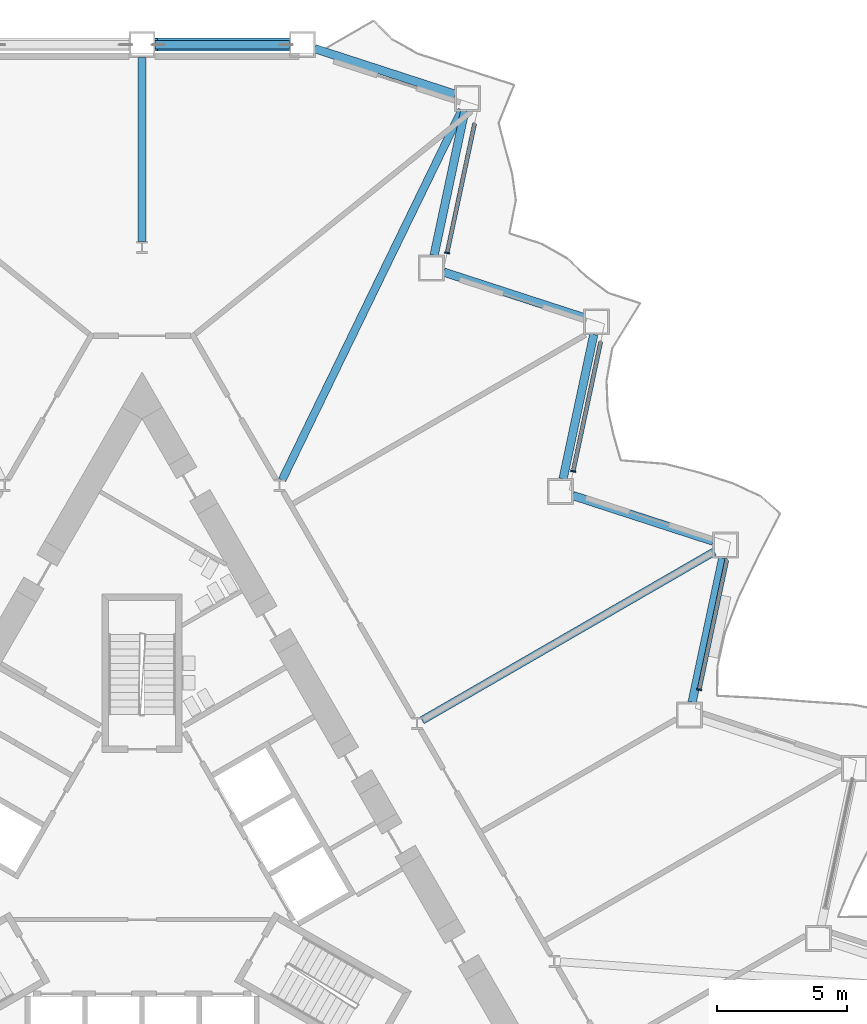
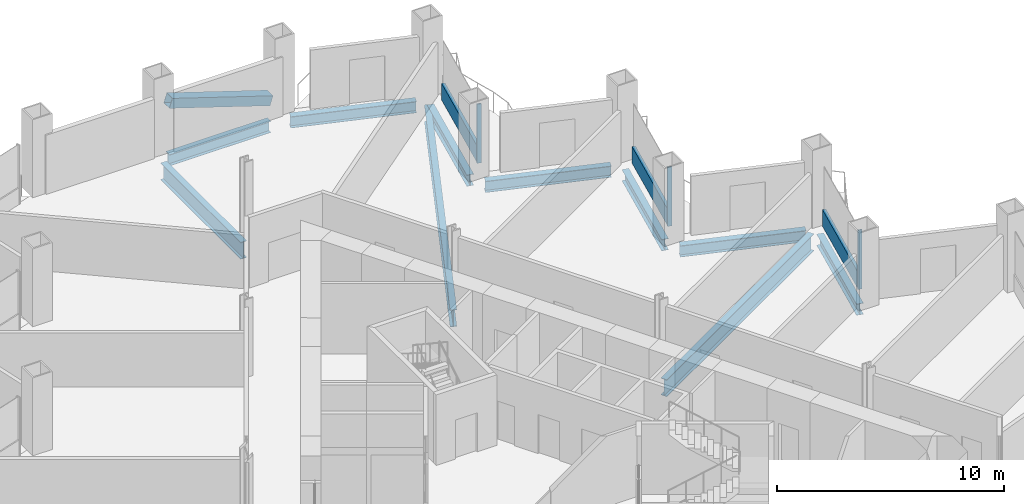
# One storey, part 7 of 21: 10 beams, 7 members, 3 elements without a shape of their own.
"""IFC4 building model written with IfcOpenShell, lengths in metres."""

from ifc_helpers import new_model, si_unit, direction, frame, origin, origin_2d, place, context, subcontext, project, spatial, rectangle, hollow_rectangle, i_section, extrude, material, layer, layer_set, material_profile, profile_set, type_object, element, aggregate, save


model = new_model("IFC4")

# Units and contexts
model_context = context("Model", 3, precision=1e-05, world=origin(), true_north=direction((0.0, 1.0)))
body_context = subcontext(model_context, "Body", "Model", "MODEL_VIEW")
ifc_project = project(units=[si_unit("LENGTHUNIT", "METRE"), si_unit("AREAUNIT", "SQUARE_METRE"), si_unit("VOLUMEUNIT", "CUBIC_METRE"), si_unit("PLANEANGLEUNIT", "RADIAN"), si_unit("MASSUNIT", "GRAM", prefix="KILO")], contexts=[model_context])

# Site, building, storey
site_placement = place(None, origin())
site = spatial("IfcSite", under=ifc_project, at=site_placement, CompositionType="ELEMENT")
building_placement = place(site_placement, origin())
building = spatial("IfcBuilding", under=site, at=building_placement, Name="Cormorant Prow Tower", CompositionType="ELEMENT")
storey_placement = place(building_placement, frame((0.0, 0.0, 46.800048828125)))
storey = spatial("IfcBuildingStorey", under=building, at=storey_placement, Name="L09", CompositionType="ELEMENT", Elevation=46.800048828125)

# Member
ifc_material_1 = material(Name="Structural steel ASTM A500 Gr C", Category="steel")
ifc_material_profile_1 = material_profile(ifc_material_1, hollow_rectangle(XDim=0.508056640625, YDim=0.508056640625, WallThickness=0.014892578125, at=origin_2d()), Name="HSS20x20x5/8")
ifc_profile_set_1 = profile_set([ifc_material_profile_1], Name="Structural steel ASTM A500 Gr C")
member_type_1 = type_object("IfcMemberType", Name="Chamfer brace HSS20x20x5/8", PredefinedType="BRACE", material=ifc_profile_set_1)
member_1_placement = place(storey_placement, frame((5.65087890625, 32.233642578125, 0.76708984375), z_axis=(-0.951761092368, 0.0, 0.306840061033), x_axis=(0.0, -1.0, 0.0)))
element("IfcMember", 1, at=member_1_placement, inside=storey, type_object=member_type_1, Name="Chamfer brace BR1 at N00 L09", PredefinedType="BRACE", context=body_context, shape_type="SweptSolid", body=[
    extrude(hollow_rectangle(XDim=0.508056640625, YDim=0.508056640625, WallThickness=0.014892578125, at=origin_2d()), origin(), (0.0, 0.0, 1.0), 5.39208984375),
])

# Curtain wall, member
ifc_material_2 = material(Name="Aluminium 6063-T6", Category="aluminium")
ifc_layer = layer(ifc_material_2, 0.199951171875)
ifc_layer_set = layer_set([ifc_layer], Name="Aluminium 6063-T6")
curtain_wall_type = type_object("IfcCurtainWallType", Name="Office unitised curtain wall 200", PredefinedType="NOTDEFINED", material=ifc_layer_set)
curtain_wall_1_placement = place(storey_placement, origin())
curtain_wall_1 = element("IfcCurtainWall", 2, at=curtain_wall_1_placement, inside=storey, type_object=curtain_wall_type, Name="Office curtain wall ENE04", PredefinedType="NOTDEFINED")
ifc_material_3 = material(Name="Aluminium 6063-T6", Category="aluminium")
ifc_material_profile_2 = material_profile(ifc_material_3, rectangle(XDim=0.199951171875, YDim=0.06005859375, at=origin_2d()), Name="Office mullion 60x200")
ifc_profile_set_2 = profile_set([ifc_material_profile_2], Name="Aluminium 6063-T6")
member_type_2 = type_object("IfcMemberType", Name="Office mullion 60x200", PredefinedType="MULLION", material=ifc_profile_set_2)
member_2_placement = place(storey_placement, frame((21.447021484375, 7.408203125, 0.0), z_axis=(0.0, 0.0, 1.0), x_axis=(-0.978147599834, 0.207911695052, 0.0)))
member_2 = element("IfcMember", 3, at=member_2_placement, type_object=member_type_2, Name="Office mullion ENE04", PredefinedType="MULLION", context=body_context, shape_type="SweptSolid", body=[
    extrude(rectangle(XDim=0.199951171875, YDim=0.06005859375, at=origin_2d()), origin(), (0.0, 0.0, 1.0), 3.18896484375),
])

curtain_wall_2_placement = place(storey_placement, origin())
curtain_wall_2 = element("IfcCurtainWall", 4, at=curtain_wall_2_placement, inside=storey, type_object=curtain_wall_type, Name="Office curtain wall ENE06", PredefinedType="NOTDEFINED")
member_3_placement = place(storey_placement, frame((16.594482421875, 15.813232421875, 0.0), z_axis=(0.0, 0.0, 1.0), x_axis=(-0.978147630979, 0.207911548524, 0.0)))
member_3 = element("IfcMember", 5, at=member_3_placement, type_object=member_type_2, Name="Office mullion ENE06", PredefinedType="MULLION", context=body_context, shape_type="SweptSolid", body=[
    extrude(rectangle(XDim=0.199951171875, YDim=0.06005859375, at=origin_2d()), origin(), (0.0, 0.0, 1.0), 3.18896484375),
])

curtain_wall_3_placement = place(storey_placement, origin())
curtain_wall_3 = element("IfcCurtainWall", 6, at=curtain_wall_3_placement, inside=storey, type_object=curtain_wall_type, Name="Office curtain wall ENE08", PredefinedType="NOTDEFINED")
member_4_placement = place(storey_placement, frame((11.74169921875, 24.21826171875, 0.0), z_axis=(0.0, 0.0, 1.0), x_axis=(-0.978147599834, 0.207911695052, 0.0)))
member_4 = element("IfcMember", 7, at=member_4_placement, type_object=member_type_2, Name="Office mullion ENE08", PredefinedType="MULLION", context=body_context, shape_type="SweptSolid", body=[
    extrude(rectangle(XDim=0.199951171875, YDim=0.06005859375, at=origin_2d()), origin(), (0.0, 0.0, 1.0), 3.18896484375),
])

# Member
ifc_material_4 = material(Name="Terracotta", Category="masonry")
ifc_material_profile_3 = material_profile(ifc_material_4, rectangle(XDim=0.159912109375, YDim=0.89990234375, at=origin_2d()), Name="Office terracotta spandrel rail 160x900")
ifc_profile_set_3 = profile_set([ifc_material_profile_3], Name="Terracotta")
member_type_3 = type_object("IfcMemberType", Name="Office terracotta spandrel rail 160x900", PredefinedType="USERDEFINED", material=ifc_profile_set_3)
member_5_placement = place(storey_placement, frame((21.453369140625, 7.4375, 0.449951171875), z_axis=(0.207895659842, 0.978151008086, 0.0), x_axis=(-0.978151008086, 0.207895659842, 0.0)))
member_5 = element("IfcMember", 8, at=member_5_placement, type_object=member_type_3, Name="Office spandrel rail ENE04", ObjectType="TRANSOM", PredefinedType="USERDEFINED", context=body_context, shape_type="SweptSolid", body=[
    extrude(rectangle(XDim=0.159912109375, YDim=0.89990234375, at=origin_2d()), origin(), (0.0, 0.0, 1.0), 5.063720703125),
])

aggregate(curtain_wall_1, [member_2, member_5])

member_6_placement = place(storey_placement, frame((16.6005859375, 15.842529296875, 0.449951171875), z_axis=(0.20794178862, 0.978141202764, 0.0), x_axis=(-0.978141202764, 0.20794178862, 0.0)))
member_6 = element("IfcMember", 9, at=member_6_placement, type_object=member_type_3, Name="Office spandrel rail ENE06", ObjectType="TRANSOM", PredefinedType="USERDEFINED", context=body_context, shape_type="SweptSolid", body=[
    extrude(rectangle(XDim=0.159912109375, YDim=0.89990234375, at=origin_2d()), origin(), (0.0, 0.0, 1.0), 5.063720703125),
])

aggregate(curtain_wall_2, [member_3, member_6])

member_7_placement = place(storey_placement, frame((11.748046875, 24.24755859375, 0.449951171875), z_axis=(0.207895659842, 0.978151008086, 0.0), x_axis=(-0.978151008086, 0.207895659842, 0.0)))
member_7 = element("IfcMember", 10, at=member_7_placement, type_object=member_type_3, Name="Office spandrel rail ENE08", ObjectType="TRANSOM", PredefinedType="USERDEFINED", context=body_context, shape_type="SweptSolid", body=[
    extrude(rectangle(XDim=0.159912109375, YDim=0.89990234375, at=origin_2d()), origin(), (0.0, 0.0, 1.0), 5.063720703125),
])

aggregate(curtain_wall_3, [member_4, member_7])

# Beams
ifc_material_5 = material(Name="Structural steel ASTM A992 Gr 50", Category="steel")
ifc_material_profile_4 = material_profile(ifc_material_5, i_section(OverallWidth=0.3046875, OverallDepth=0.914794921875, WebThickness=0.0166015625, FlangeThickness=0.02587890625, at=origin_2d()), Name="W36x160")
ifc_profile_set_4 = profile_set([ifc_material_profile_4], Name="Structural steel ASTM A992 Gr 50")
beam_type_1 = type_object("IfcBeamType", Name="Radial floor beam W36x160", PredefinedType="BEAM", material=ifc_profile_set_4)
beam_1_placement = place(storey_placement, frame((0.0, 24.662109375, -0.857421875), z_axis=(0.0, 1.0, 0.0), x_axis=(-1.0, 0.0, 0.0)))
element("IfcBeam", 11, at=beam_1_placement, inside=storey, type_object=beam_type_1, Name="Radial floor beam FB1 1 L09", PredefinedType="BEAM", context=body_context, shape_type="SweptSolid", body=[
    extrude(i_section(OverallWidth=0.3046875, OverallDepth=0.914794921875, WebThickness=0.0166015625, FlangeThickness=0.02587890625, at=origin_2d()), origin(), (0.0, 0.0, 1.0), 7.071533203125),
])
beam_2_placement = place(storey_placement, frame((10.779541015625, 6.2236328125, -0.857421875), z_axis=(0.866030278318, 0.499991556966, 0.0), x_axis=(-0.499991556966, 0.866030278318, 0.0)))
element("IfcBeam", 12, at=beam_2_placement, inside=storey, type_object=beam_type_1, Name="Radial floor beam FB1 11 L09", PredefinedType="BEAM", context=body_context, shape_type="SweptSolid", body=[
    extrude(i_section(OverallWidth=0.3046875, OverallDepth=0.914794921875, WebThickness=0.0166015625, FlangeThickness=0.02587890625, at=origin_2d()), origin(), (0.0, 0.0, 1.0), 12.984130859375),
])
beam_3_placement = place(storey_placement, frame((5.390625, 15.4775390625, -0.857421875), z_axis=(0.436839436813, 0.899539496879, 0.0), x_axis=(-0.899539496879, 0.436839436813, 0.0)))
element("IfcBeam", 13, at=beam_3_placement, inside=storey, type_object=beam_type_1, Name="Radial floor beam FB1 12 L09", PredefinedType="BEAM", context=body_context, shape_type="SweptSolid", body=[
    extrude(i_section(OverallWidth=0.3046875, OverallDepth=0.914794921875, WebThickness=0.0166015625, FlangeThickness=0.02587890625, at=origin_2d()), origin(), (0.0, 0.0, 1.0), 15.83203125),
])
ifc_material_6 = material(Name="Structural steel ASTM A992 Gr 50", Category="steel")
ifc_material_profile_5 = material_profile(ifc_material_6, i_section(OverallWidth=0.32373046875, OverallDepth=0.611083984375, WebThickness=0.0126953125, FlangeThickness=0.01904296875, at=origin_2d()), Name="W24x104")
ifc_profile_set_5 = profile_set([ifc_material_profile_5], Name="Structural steel ASTM A992 Gr 50")
beam_type_2 = type_object("IfcBeamType", Name="Spandrel beam W24x104", PredefinedType="SPANDREL", material=ifc_profile_set_5)
beam_4_placement = place(storey_placement, frame((21.171875, 6.918212890625, -0.70556640625), z_axis=(0.207900376723, 0.97815000555, 0.0), x_axis=(-0.97815000555, 0.207900376723, 0.0)))
element("IfcBeam", 14, at=beam_4_placement, inside=storey, type_object=beam_type_2, Name="Spandrel beam SB1 ENE04-ENE05 L09", PredefinedType="SPANDREL", context=body_context, shape_type="SweptSolid", body=[
    extrude(i_section(OverallWidth=0.32373046875, OverallDepth=0.611083984375, WebThickness=0.0126953125, FlangeThickness=0.01904296875, at=origin_2d()), origin(), (0.0, 0.0, 1.0), 5.6826171875),
])
beam_5_placement = place(storey_placement, frame((21.981689453125, 13.1201171875, -0.70556640625), z_axis=(-0.951049222751, 0.309039440696, 0.0), x_axis=(-0.309039440696, -0.951049222751, 0.0)))
element("IfcBeam", 15, at=beam_5_placement, inside=storey, type_object=beam_type_2, Name="Spandrel beam SB1 ENE05-ENE06 L09", PredefinedType="SPANDREL", context=body_context, shape_type="SweptSolid", body=[
    extrude(i_section(OverallWidth=0.32373046875, OverallDepth=0.611083984375, WebThickness=0.0126953125, FlangeThickness=0.01904296875, at=origin_2d()), origin(), (0.0, 0.0, 1.0), 5.682373046875),
])
beam_6_placement = place(storey_placement, frame((16.205810546875, 15.519775390625, -0.70556640625), z_axis=(0.207900376723, 0.97815000555, 0.0), x_axis=(-0.97815000555, 0.207900376723, 0.0)))
element("IfcBeam", 16, at=beam_6_placement, inside=storey, type_object=beam_type_2, Name="Spandrel beam SB1 ENE06-ENE07 L09", PredefinedType="SPANDREL", context=body_context, shape_type="SweptSolid", body=[
    extrude(i_section(OverallWidth=0.32373046875, OverallDepth=0.611083984375, WebThickness=0.0126953125, FlangeThickness=0.01904296875, at=origin_2d()), origin(), (0.0, 0.0, 1.0), 5.6826171875),
])
beam_7_placement = place(storey_placement, frame((17.015625, 21.7216796875, -0.70556640625), z_axis=(-0.951049222751, 0.309039440696, 0.0), x_axis=(-0.309039440696, -0.951049222751, 0.0)))
element("IfcBeam", 17, at=beam_7_placement, inside=storey, type_object=beam_type_2, Name="Spandrel beam SB1 ENE07-ENE08 L09", PredefinedType="SPANDREL", context=body_context, shape_type="SweptSolid", body=[
    extrude(i_section(OverallWidth=0.32373046875, OverallDepth=0.611083984375, WebThickness=0.0126953125, FlangeThickness=0.01904296875, at=origin_2d()), origin(), (0.0, 0.0, 1.0), 5.682373046875),
])
beam_8_placement = place(storey_placement, frame((11.23974609375, 24.121337890625, -0.70556640625), z_axis=(0.207900376723, 0.97815000555, 0.0), x_axis=(-0.97815000555, 0.207900376723, 0.0)))
element("IfcBeam", 18, at=beam_8_placement, inside=storey, type_object=beam_type_2, Name="Spandrel beam SB1 ENE08-ENE09 L09", PredefinedType="SPANDREL", context=body_context, shape_type="SweptSolid", body=[
    extrude(i_section(OverallWidth=0.32373046875, OverallDepth=0.611083984375, WebThickness=0.0126953125, FlangeThickness=0.01904296875, at=origin_2d()), origin(), (0.0, 0.0, 1.0), 5.6826171875),
])
beam_9_placement = place(storey_placement, frame((12.049560546875, 30.3232421875, -0.70556640625), z_axis=(-0.951061849722, 0.309000579292, 0.0), x_axis=(-0.309000579292, -0.951061849722, 0.0)))
element("IfcBeam", 19, at=beam_9_placement, inside=storey, type_object=beam_type_2, Name="Spandrel beam SB1 ENE09-N00 L09", PredefinedType="SPANDREL", context=body_context, shape_type="SweptSolid", body=[
    extrude(i_section(OverallWidth=0.32373046875, OverallDepth=0.611083984375, WebThickness=0.0126953125, FlangeThickness=0.01904296875, at=origin_2d()), origin(), (0.0, 0.0, 1.0), 5.682373046875),
])
beam_10_placement = place(storey_placement, frame((5.669677734375, 32.233642578125, -0.70556640625), z_axis=(-1.0, 0.0, 0.0), x_axis=(0.0, -1.0, 0.0)))
element("IfcBeam", 20, at=beam_10_placement, inside=storey, type_object=beam_type_2, Name="Spandrel beam SB1 N00-N01 L09", PredefinedType="SPANDREL", context=body_context, shape_type="SweptSolid", body=[
    extrude(i_section(OverallWidth=0.32373046875, OverallDepth=0.611083984375, WebThickness=0.0126953125, FlangeThickness=0.01904296875, at=origin_2d()), origin(), (0.0, 0.0, 1.0), 5.169677734375),
])

save(model, "model.ifc")
